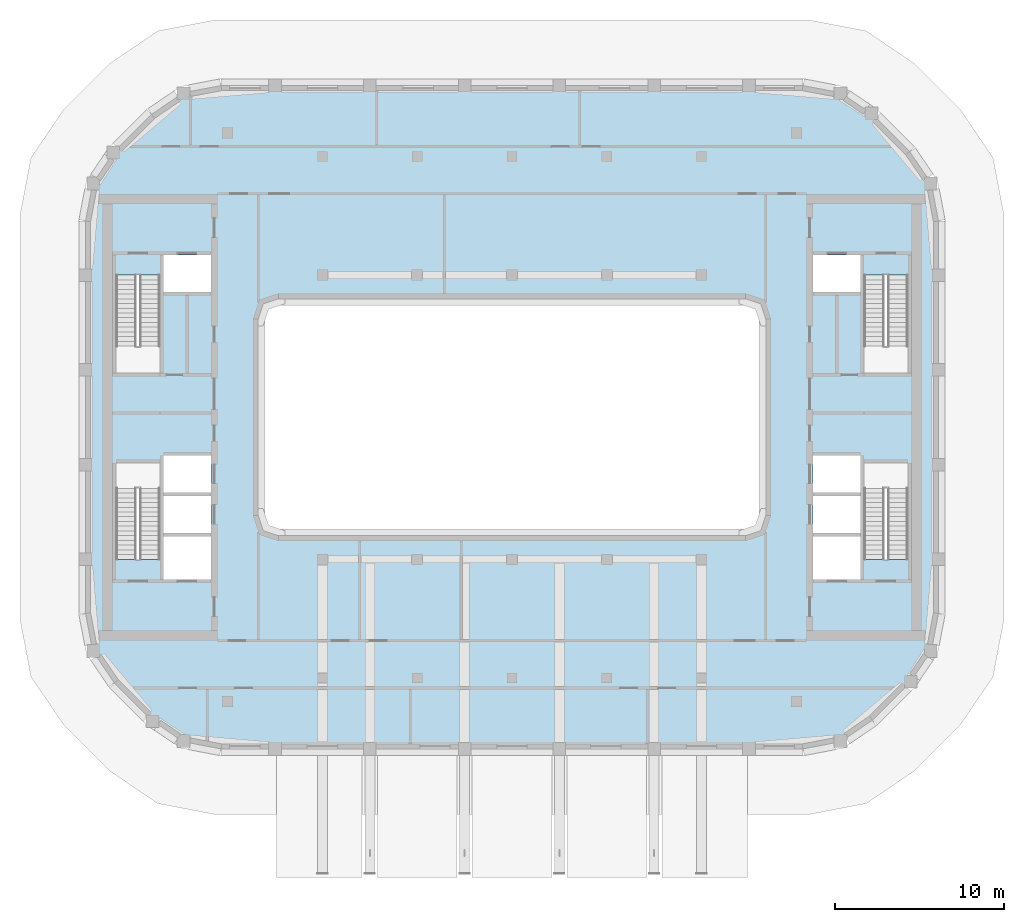
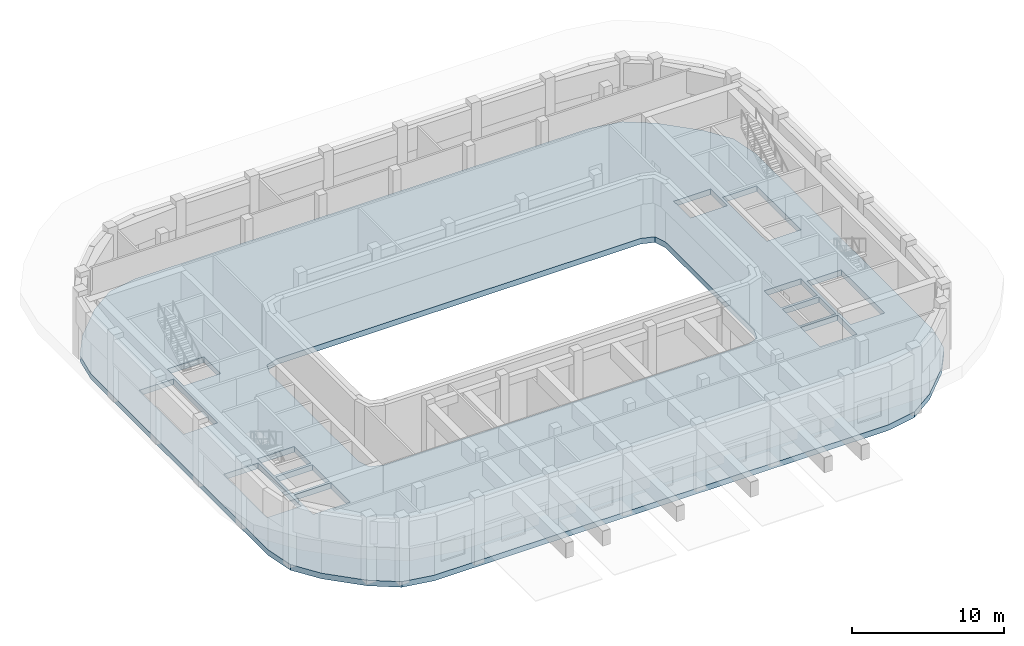
# One storey, part 3 of 17: 1 slab.
"""IFC4 building model written with IfcOpenShell, lengths in metres."""

from ifc_helpers import new_model, si_unit, direction, frame, origin, place, context, subcontext, project, spatial, polyline, outline, extrude, material, layer, layer_set, type_object, element, save


model = new_model("IFC4")

# Units and contexts
model_context = context("Model", 3, precision=1e-05, world=origin(), true_north=direction((0.0, 1.0)))
body_context = subcontext(model_context, "Body", "Model", "MODEL_VIEW")
ifc_project = project(units=[si_unit("LENGTHUNIT", "METRE"), si_unit("AREAUNIT", "SQUARE_METRE"), si_unit("VOLUMEUNIT", "CUBIC_METRE"), si_unit("PLANEANGLEUNIT", "RADIAN"), si_unit("MASSUNIT", "GRAM", prefix="KILO")], contexts=[model_context])

# Site, building, storey
site_placement = place(None, origin())
site = spatial("IfcSite", under=ifc_project, at=site_placement, CompositionType="ELEMENT")
building_placement = place(site_placement, origin())
building = spatial("IfcBuilding", under=site, at=building_placement, Name="Kiln Ring Residences", CompositionType="ELEMENT")
storey_placement = place(building_placement, frame((0.0, 0.0, 289.10009765625)))
storey = spatial("IfcBuildingStorey", under=building, at=storey_placement, Name="L75", CompositionType="ELEMENT", Elevation=289.10009765625)

# Slab
ifc_material = material(Name="Concrete C40/50", Category="concrete")
ifc_layer = layer(ifc_material, 0.449951171875)
ifc_layer_set = layer_set([ifc_layer], Name="Floor slab 450")
slab_type = type_object("IfcSlabType", Name="Floor slab 450", PredefinedType="FLOOR", material=ifc_layer_set)
slab_placement = place(storey_placement, frame((0.0, 0.0, -0.4501953125)))
element("IfcSlab", 1, at=slab_placement, inside=storey, type_object=slab_type, Name="Floor slab L75 1", PredefinedType="FLOOR", context=body_context, shape_type="SweptSolid", body=[
    extrude(outline(polyline([(-23.5029296875, -15.697021484375), (-21.297119140625, -17.90283203125), (-19.42431640625, -19.17578125), (-17.199951171875, -19.60009765625), (17.199951171875, -19.60009765625), (19.42431640625, -19.17578125), (21.297119140625, -17.90283203125), (23.5029296875, -15.697021484375), (24.775634765625, -13.82421875), (25.199951171875, -11.60009765625), (25.199951171875, 11.60009765625), (24.775634765625, 13.82421875), (23.5029296875, 15.697021484375), (21.297119140625, 17.90283203125), (19.42431640625, 19.17578125), (17.199951171875, 19.60009765625), (-17.199951171875, 19.60009765625), (-19.42431640625, 19.17578125), (-21.297119140625, 17.90283203125), (-23.5029296875, 15.697021484375), (-24.775634765625, 13.82421875), (-25.199951171875, 11.60009765625), (-25.199951171875, -11.60009765625), (-24.775634765625, -13.82421875), (-23.5029296875, -15.697021484375)]), holes=[polyline([(-14.699951171875, -6.699951171875), (-15.0, -5.800048828125), (-15.0, 5.800048828125), (-14.699951171875, 6.699951171875), (-13.800048828125, 7.0), (13.800048828125, 7.0), (14.699951171875, 6.699951171875), (15.0, 5.800048828125), (15.0, -5.800048828125), (14.699951171875, -6.699951171875), (13.800048828125, -7.0), (-13.800048828125, -7.0), (-14.699951171875, -6.699951171875)]), polyline([(20.800048828125, -8.39794921875), (20.800048828125, -2.699951171875), (23.39990234375, -2.699951171875), (23.39990234375, -8.39794921875), (20.800048828125, -8.39794921875)]), polyline([(20.800048828125, 2.60009765625), (20.800048828125, 8.39794921875), (23.39990234375, 8.39794921875), (23.39990234375, 2.60009765625), (20.800048828125, 2.60009765625)]), polyline([(17.800048828125, -6.85009765625), (17.800048828125, -4.64990234375), (20.60009765625, -4.64990234375), (20.60009765625, -6.85009765625), (17.800048828125, -6.85009765625)]), polyline([(17.800048828125, 7.39990234375), (17.800048828125, 9.60009765625), (20.60009765625, 9.60009765625), (20.60009765625, 7.39990234375), (17.800048828125, 7.39990234375)]), polyline([(20.60009765625, -9.60009765625), (17.800048828125, -9.60009765625), (17.800048828125, -7.050048828125), (20.60009765625, -7.050048828125), (20.60009765625, -9.60009765625)]), polyline([(20.60009765625, -4.449951171875), (17.800048828125, -4.449951171875), (17.800048828125, -2.25), (20.60009765625, -2.25), (20.60009765625, -4.449951171875)]), polyline([(-17.800048828125, -7.050048828125), (-17.800048828125, -9.60009765625), (-20.60009765625, -9.60009765625), (-20.60009765625, -7.050048828125), (-17.800048828125, -7.050048828125)]), polyline([(-17.800048828125, -6.85009765625), (-20.60009765625, -6.85009765625), (-20.60009765625, -4.64990234375), (-17.800048828125, -4.64990234375), (-17.800048828125, -6.85009765625)]), polyline([(-17.800048828125, -2.25), (-17.800048828125, -4.449951171875), (-20.60009765625, -4.449951171875), (-20.60009765625, -2.25), (-17.800048828125, -2.25)]), polyline([(-17.800048828125, 7.39990234375), (-20.60009765625, 7.39990234375), (-20.60009765625, 9.60009765625), (-17.800048828125, 9.60009765625), (-17.800048828125, 7.39990234375)]), polyline([(-20.800048828125, -8.39794921875), (-23.39990234375, -8.39794921875), (-23.39990234375, -2.699951171875), (-20.800048828125, -2.699951171875), (-20.800048828125, -8.39794921875)]), polyline([(-20.800048828125, 2.60009765625), (-23.39990234375, 2.60009765625), (-23.39990234375, 8.39794921875), (-20.800048828125, 8.39794921875), (-20.800048828125, 2.60009765625)])]), origin(), (0.0, 0.0, 1.0), 0.4501953125),
])

save(model, "model.ifc")
